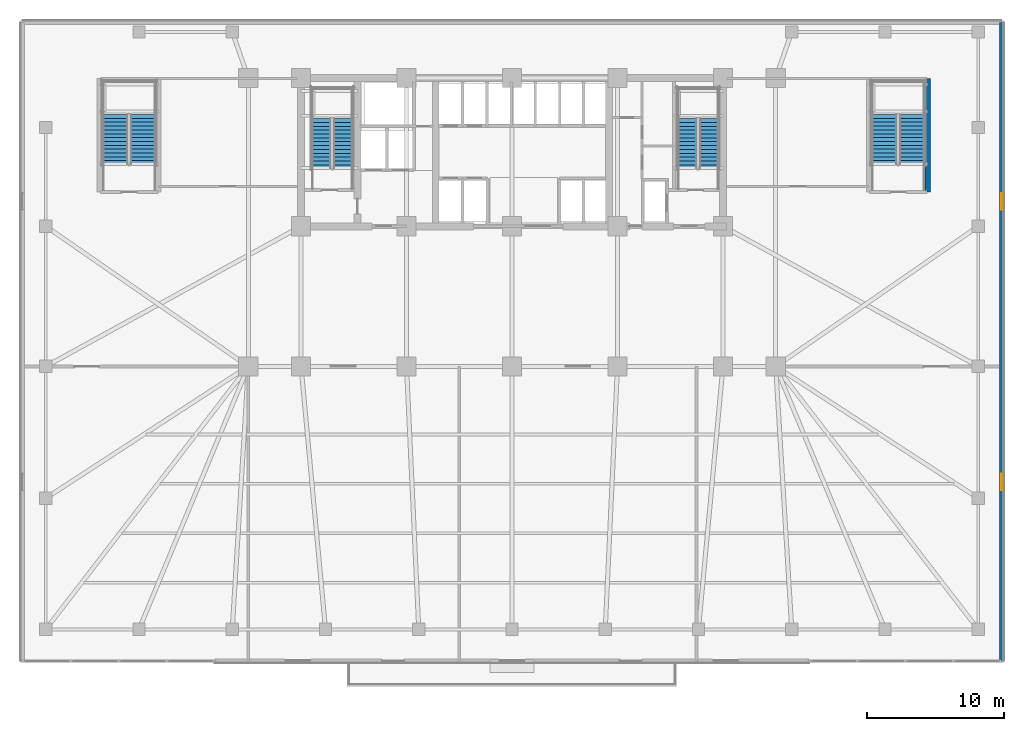
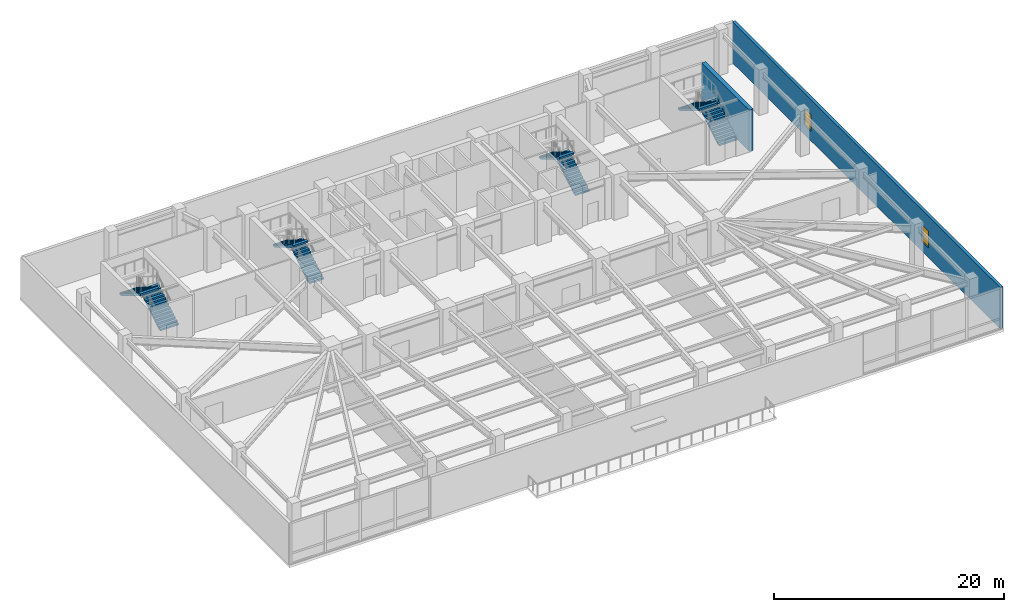
# One storey, part 10 of 15: 8 stair flights, 2 walls, 2 windows, 2 openings, 4 elements without a shape of their own.
"""IFC4 building model written with IfcOpenShell, lengths in metres."""

from ifc_helpers import new_model, si_unit, direction, frame, frame_2d, origin, place, context, subcontext, project, spatial, polyline, rectangle, outline, extrude, material, layer, layer_set, type_object, element, fill, aggregate, save


model = new_model("IFC4")

# Units and contexts
model_context = context("Model", 3, precision=1e-05, world=origin(), true_north=direction((0.0, 1.0)))
body_context = subcontext(model_context, "Body", "Model", "MODEL_VIEW")
ifc_project = project(units=[si_unit("LENGTHUNIT", "METRE"), si_unit("AREAUNIT", "SQUARE_METRE"), si_unit("VOLUMEUNIT", "CUBIC_METRE"), si_unit("PLANEANGLEUNIT", "RADIAN"), si_unit("MASSUNIT", "GRAM", prefix="KILO")], contexts=[model_context])

# Site, building, storey
site_placement = place(None, origin())
site = spatial("IfcSite", under=ifc_project, at=site_placement, CompositionType="ELEMENT")
building_placement = place(site_placement, origin())
building = spatial("IfcBuilding", under=site, at=building_placement, Name="Yelkora Congress Tower", CompositionType="ELEMENT")
storey_placement = place(building_placement, frame((0.0, 0.0, 20.39990234375)))
storey = spatial("IfcBuildingStorey", under=building, at=storey_placement, Name="L04", CompositionType="ELEMENT", Elevation=20.39990234375)

# Wall
ifc_material_1 = material(Name="Concrete C50/60", Category="concrete")
ifc_layer_1 = layer(ifc_material_1, 0.39990234375)
ifc_layer_set_1 = layer_set([ifc_layer_1], Name="Concrete C50/60")
wall_type_1 = type_object("IfcWallType", Name="WALL-CORE-INT-400", PredefinedType="SHEAR", material=ifc_layer_set_1)
wall_1_placement = place(storey_placement, frame((68.659912109375, 37.89990234375, 0.0), z_axis=(0.0, 0.0, 1.0), x_axis=(0.0, 1.0, 0.0)))
element("IfcWall", 1, at=wall_1_placement, inside=storey, type_object=wall_type_1, Name="L04 STP2 East Shear Wall", PredefinedType="SHEAR", context=body_context, shape_type="SweptSolid", body=[
    extrude(rectangle(XDim=8.25, YDim=0.39990234375, at=frame_2d((4.125, 0.0))), origin(), (0.0, 0.0, 1.0), 4.380126953125),
])

# Wall, openings, windows
ifc_material_2 = material(Name="Concrete C40/50", Category="concrete")
ifc_layer_2 = layer(ifc_material_2, 0.280029296875)
ifc_layer_set_2 = layer_set([ifc_layer_2], Name="Concrete C40/50")
wall_type_2 = type_object("IfcWallType", Name="WALL-EXT-LIMESTONE-280", PredefinedType="SOLIDWALL", material=ifc_layer_set_2)
wall_2_placement = place(storey_placement, frame((74.0400390625, 50.239990234375, 0.0), z_axis=(0.0, 0.0, 1.0), x_axis=(0.0, -1.0, 0.0)))
wall_2 = element("IfcWall", 2, at=wall_2_placement, inside=storey, type_object=wall_type_2, Name="L04 Podium Limestone Wall 3", PredefinedType="SOLIDWALL", context=body_context, shape_type="SweptSolid", body=[
    extrude(rectangle(XDim=46.47998046875, YDim=0.280029296875, at=frame_2d((23.239990234375, 0.0))), origin(), (0.0, 0.0, 1.0), 4.380126953125),
])
opening_1_placement = place(wall_2_placement, frame((12.414306640625, 0.0, 1.0)))
opening_1 = element("IfcOpeningElement", 3, at=opening_1_placement, cuts=wall_2, Name="Opening WN-12", PredefinedType="OPENING", context=body_context, shape_type="SweptSolid", body=[
    extrude(rectangle(XDim=1.199951171875, YDim=1.800048828125, at=frame_2d((0.60009765625, 0.89990234375))), frame((0.0, 0.14990234375, 0.0), z_axis=(0.0, -1.0, 0.0), x_axis=(1.0, 0.0, 0.0)), (0.0, 0.0, 1.0), 0.300048828125),
])
opening_2_placement = place(wall_2_placement, frame((32.865478515625, 0.0, 1.0)))
opening_2 = element("IfcOpeningElement", 4, at=opening_2_placement, cuts=wall_2, Name="Opening WN-12", PredefinedType="OPENING", context=body_context, shape_type="SweptSolid", body=[
    extrude(rectangle(XDim=1.199951171875, YDim=1.800048828125, at=frame_2d((0.60009765625, 0.89990234375))), frame((0.0, 0.14990234375, 0.0), z_axis=(0.0, -1.0, 0.0), x_axis=(1.0, 0.0, 0.0)), (0.0, 0.0, 1.0), 0.300048828125),
])
ifc_material_3 = material(Name="Thermally broken aluminium window", Category="aluminium")
window_type = type_object("IfcWindowType", Name="WIN-POD-1200x1800", PartitioningType="SINGLE_PANEL", PredefinedType="WINDOW", material=ifc_material_3)
window_1_placement = place(opening_1_placement, origin())
window_1 = element("IfcWindow", 5, at=window_1_placement, inside=storey, type_object=window_type, Name="L04 Podium Facade Window 3-1", OverallHeight=1.800048828125, OverallWidth=1.199951171875, PartitioningType="SINGLE_PANEL", PredefinedType="WINDOW", context=body_context, shape_type="SweptSolid", body=[
    extrude(rectangle(XDim=1.199951171875, YDim=1.800048828125, at=frame_2d((0.60009765625, 0.89990234375))), frame((0.0, 0.030029296875, 0.0), z_axis=(0.0, -1.0, 0.0), x_axis=(1.0, 0.0, 0.0)), (0.0, 0.0, 1.0), 0.06005859375),
])
fill(opening_1, window_1)
window_2_placement = place(opening_2_placement, origin())
window_2 = element("IfcWindow", 6, at=window_2_placement, inside=storey, type_object=window_type, Name="L04 Podium Facade Window 3-2", OverallHeight=1.800048828125, OverallWidth=1.199951171875, PartitioningType="SINGLE_PANEL", PredefinedType="WINDOW", context=body_context, shape_type="SweptSolid", body=[
    extrude(rectangle(XDim=1.199951171875, YDim=1.800048828125, at=frame_2d((0.60009765625, 0.89990234375))), frame((0.0, 0.030029296875, 0.0), z_axis=(0.0, -1.0, 0.0), x_axis=(1.0, 0.0, 0.0)), (0.0, 0.0, 1.0), 0.06005859375),
])
fill(opening_2, window_2)

# Stair, stair flights
stair_type_1 = type_object("IfcStairType", Name="STAIR-HT-1420-R28-171", PredefinedType="HALF_TURN_STAIR", material=ifc_material_2)
stair_1_placement = place(storey_placement, origin())
stair_1 = element("IfcStair", 7, at=stair_1_placement, inside=storey, type_object=stair_type_1, Name="West Core Protected Exit Stair ST-01 (L04)", PredefinedType="HALF_TURN_STAIR")
stair_flight_type_1 = type_object("IfcStairFlightType", Name="FLIGHT-1420-N14-R171-G280", PredefinedType="STRAIGHT", material=ifc_material_2)
stair_flight_1_placement = place(storey_placement, frame((26.110107421875, 39.60009765625, 0.0), z_axis=(0.0, 0.0, 1.0), x_axis=(0.0, 1.0, 0.0)))
stair_flight_1 = element("IfcStairFlight", 8, at=stair_flight_1_placement, type_object=stair_flight_type_1, Name="ST-01 L04 Flight 1", NumberOfRisers=14, NumberOfTreads=13, PredefinedType="STRAIGHT", RiserHeight=0.171428571, TreadLength=0.28, context=body_context, shape_type="SweptSolid", body=[
    extrude(outline(polyline([(0.0, 0.0), (0.0, 0.17138671875), (0.280029296875, 0.17138671875), (0.280029296875, 0.3427734375), (0.56005859375, 0.3427734375), (0.56005859375, 0.514404296875), (0.840087890625, 0.514404296875), (0.840087890625, 0.685791015625), (1.1201171875, 0.685791015625), (1.1201171875, 0.857177734375), (1.39990234375, 0.857177734375), (1.39990234375, 1.028564453125), (1.679931640625, 1.028564453125), (1.679931640625, 1.199951171875), (1.9599609375, 1.199951171875), (1.9599609375, 1.371337890625), (2.239990234375, 1.371337890625), (2.239990234375, 1.54296875), (2.52001953125, 1.54296875), (2.52001953125, 1.71435546875), (2.800048828125, 1.71435546875), (2.800048828125, 1.8857421875), (3.080078125, 1.8857421875), (3.080078125, 2.05712890625), (3.360107421875, 2.05712890625), (3.360107421875, 2.228515625), (3.639892578125, 2.228515625), (3.639892578125, 2.39990234375), (3.639892578125, 2.041015625), (0.30615234375, 0.0), (0.0, 0.0)])), frame((0.0, 0.7099609375, 0.0), z_axis=(0.0, -1.0, 0.0), x_axis=(1.0, 0.0, 0.0)), (0.0, 0.0, 1.0), 1.419921875),
])
stair_flight_2_placement = place(storey_placement, frame((24.530029296875, 43.239990234375, 2.400146484375), z_axis=(0.0, 0.0, 1.0), x_axis=(0.0, -1.0, 0.0)))
stair_flight_2 = element("IfcStairFlight", 9, at=stair_flight_2_placement, type_object=stair_flight_type_1, Name="ST-01 L04 Flight 2", NumberOfRisers=14, NumberOfTreads=13, PredefinedType="STRAIGHT", RiserHeight=0.171428571, TreadLength=0.28, context=body_context, shape_type="SweptSolid", body=[
    extrude(outline(polyline([(0.0, 0.0), (0.0, 0.17138671875), (0.280029296875, 0.17138671875), (0.280029296875, 0.3427734375), (0.56005859375, 0.3427734375), (0.56005859375, 0.514404296875), (0.840087890625, 0.514404296875), (0.840087890625, 0.685791015625), (1.1201171875, 0.685791015625), (1.1201171875, 0.857177734375), (1.39990234375, 0.857177734375), (1.39990234375, 1.028564453125), (1.679931640625, 1.028564453125), (1.679931640625, 1.199951171875), (1.9599609375, 1.199951171875), (1.9599609375, 1.371337890625), (2.239990234375, 1.371337890625), (2.239990234375, 1.54296875), (2.52001953125, 1.54296875), (2.52001953125, 1.71435546875), (2.800048828125, 1.71435546875), (2.800048828125, 1.8857421875), (3.080078125, 1.8857421875), (3.080078125, 2.05712890625), (3.360107421875, 2.05712890625), (3.360107421875, 2.228515625), (3.639892578125, 2.228515625), (3.639892578125, 2.39990234375), (3.639892578125, 2.041015625), (0.30615234375, 0.0), (0.0, 0.0)])), frame((0.0, 0.7099609375, 0.0), z_axis=(0.0, -1.0, 0.0), x_axis=(1.0, 0.0, 0.0)), (0.0, 0.0, 1.0), 1.419921875),
])
aggregate(stair_1, [stair_flight_1, stair_flight_2])

stair_2_placement = place(storey_placement, origin())
stair_2 = element("IfcStair", 10, at=stair_2_placement, inside=storey, type_object=stair_type_1, Name="East Core Protected Exit Stair ST-02 (L04)", PredefinedType="HALF_TURN_STAIR")
stair_flight_3_placement = place(storey_placement, frame((52.75, 39.60009765625, 0.0), z_axis=(0.0, 0.0, 1.0), x_axis=(0.0, 1.0, 0.0)))
stair_flight_3 = element("IfcStairFlight", 11, at=stair_flight_3_placement, type_object=stair_flight_type_1, Name="ST-02 L04 Flight 1", NumberOfRisers=14, NumberOfTreads=13, PredefinedType="STRAIGHT", RiserHeight=0.171428571, TreadLength=0.28, context=body_context, shape_type="SweptSolid", body=[
    extrude(outline(polyline([(0.0, 0.0), (0.0, 0.17138671875), (0.280029296875, 0.17138671875), (0.280029296875, 0.3427734375), (0.56005859375, 0.3427734375), (0.56005859375, 0.514404296875), (0.840087890625, 0.514404296875), (0.840087890625, 0.685791015625), (1.1201171875, 0.685791015625), (1.1201171875, 0.857177734375), (1.39990234375, 0.857177734375), (1.39990234375, 1.028564453125), (1.679931640625, 1.028564453125), (1.679931640625, 1.199951171875), (1.9599609375, 1.199951171875), (1.9599609375, 1.371337890625), (2.239990234375, 1.371337890625), (2.239990234375, 1.54296875), (2.52001953125, 1.54296875), (2.52001953125, 1.71435546875), (2.800048828125, 1.71435546875), (2.800048828125, 1.8857421875), (3.080078125, 1.8857421875), (3.080078125, 2.05712890625), (3.360107421875, 2.05712890625), (3.360107421875, 2.228515625), (3.639892578125, 2.228515625), (3.639892578125, 2.39990234375), (3.639892578125, 2.041015625), (0.30615234375, 0.0), (0.0, 0.0)])), frame((0.0, 0.7099609375, 0.0), z_axis=(0.0, -1.0, 0.0), x_axis=(1.0, 0.0, 0.0)), (0.0, 0.0, 1.0), 1.419921875),
])
stair_flight_4_placement = place(storey_placement, frame((51.169921875, 43.239990234375, 2.400146484375), z_axis=(0.0, 0.0, 1.0), x_axis=(0.0, -1.0, 0.0)))
stair_flight_4 = element("IfcStairFlight", 12, at=stair_flight_4_placement, type_object=stair_flight_type_1, Name="ST-02 L04 Flight 2", NumberOfRisers=14, NumberOfTreads=13, PredefinedType="STRAIGHT", RiserHeight=0.171428571, TreadLength=0.28, context=body_context, shape_type="SweptSolid", body=[
    extrude(outline(polyline([(0.0, 0.0), (0.0, 0.17138671875), (0.280029296875, 0.17138671875), (0.280029296875, 0.3427734375), (0.56005859375, 0.3427734375), (0.56005859375, 0.514404296875), (0.840087890625, 0.514404296875), (0.840087890625, 0.685791015625), (1.1201171875, 0.685791015625), (1.1201171875, 0.857177734375), (1.39990234375, 0.857177734375), (1.39990234375, 1.028564453125), (1.679931640625, 1.028564453125), (1.679931640625, 1.199951171875), (1.9599609375, 1.199951171875), (1.9599609375, 1.371337890625), (2.239990234375, 1.371337890625), (2.239990234375, 1.54296875), (2.52001953125, 1.54296875), (2.52001953125, 1.71435546875), (2.800048828125, 1.71435546875), (2.800048828125, 1.8857421875), (3.080078125, 1.8857421875), (3.080078125, 2.05712890625), (3.360107421875, 2.05712890625), (3.360107421875, 2.228515625), (3.639892578125, 2.228515625), (3.639892578125, 2.39990234375), (3.639892578125, 2.041015625), (0.30615234375, 0.0), (0.0, 0.0)])), frame((0.0, 0.7099609375, 0.0), z_axis=(0.0, -1.0, 0.0), x_axis=(1.0, 0.0, 0.0)), (0.0, 0.0, 1.0), 1.419921875),
])
aggregate(stair_2, [stair_flight_3, stair_flight_4])

stair_type_2 = type_object("IfcStairType", Name="STAIR-HT-1850-R28-171", PredefinedType="HALF_TURN_STAIR", material=ifc_material_2)
stair_3_placement = place(storey_placement, origin())
stair_3 = element("IfcStair", 13, at=stair_3_placement, inside=storey, type_object=stair_type_2, Name="Podium Exit Stair ST-P1 (L04)", PredefinedType="HALF_TURN_STAIR")
stair_flight_type_2 = type_object("IfcStairFlightType", Name="FLIGHT-1850-N14-R171-G280", PredefinedType="STRAIGHT", material=ifc_material_2)
stair_flight_5_placement = place(storey_placement, frame((11.534912109375, 39.89990234375, 0.0), z_axis=(0.0, 0.0, 1.0), x_axis=(0.0, 1.0, 0.0)))
stair_flight_5 = element("IfcStairFlight", 14, at=stair_flight_5_placement, type_object=stair_flight_type_2, Name="ST-P1 L04 Flight 1", NumberOfRisers=14, NumberOfTreads=13, PredefinedType="STRAIGHT", RiserHeight=0.171428571, TreadLength=0.28, context=body_context, shape_type="SweptSolid", body=[
    extrude(outline(polyline([(0.0, 0.0), (0.0, 0.17138671875), (0.280029296875, 0.17138671875), (0.280029296875, 0.3427734375), (0.56005859375, 0.3427734375), (0.56005859375, 0.514404296875), (0.840087890625, 0.514404296875), (0.840087890625, 0.685791015625), (1.1201171875, 0.685791015625), (1.1201171875, 0.857177734375), (1.39990234375, 0.857177734375), (1.39990234375, 1.028564453125), (1.679931640625, 1.028564453125), (1.679931640625, 1.199951171875), (1.9599609375, 1.199951171875), (1.9599609375, 1.371337890625), (2.239990234375, 1.371337890625), (2.239990234375, 1.54296875), (2.52001953125, 1.54296875), (2.52001953125, 1.71435546875), (2.800048828125, 1.71435546875), (2.800048828125, 1.8857421875), (3.080078125, 1.8857421875), (3.080078125, 2.05712890625), (3.360107421875, 2.05712890625), (3.360107421875, 2.228515625), (3.639892578125, 2.228515625), (3.639892578125, 2.39990234375), (3.639892578125, 2.041015625), (0.30615234375, 0.0), (0.0, 0.0)])), frame((0.0, 0.925048828125, 0.0), z_axis=(0.0, -1.0, 0.0), x_axis=(1.0, 0.0, 0.0)), (0.0, 0.0, 1.0), 1.85009765625),
])
stair_flight_6_placement = place(storey_placement, frame((9.52490234375, 43.5400390625, 2.400146484375), z_axis=(0.0, 0.0, 1.0), x_axis=(0.0, -1.0, 0.0)))
stair_flight_6 = element("IfcStairFlight", 15, at=stair_flight_6_placement, type_object=stair_flight_type_2, Name="ST-P1 L04 Flight 2", NumberOfRisers=14, NumberOfTreads=13, PredefinedType="STRAIGHT", RiserHeight=0.171428571, TreadLength=0.28, context=body_context, shape_type="SweptSolid", body=[
    extrude(outline(polyline([(0.0, 0.0), (0.0, 0.17138671875), (0.280029296875, 0.17138671875), (0.280029296875, 0.3427734375), (0.56005859375, 0.3427734375), (0.56005859375, 0.514404296875), (0.840087890625, 0.514404296875), (0.840087890625, 0.685791015625), (1.1201171875, 0.685791015625), (1.1201171875, 0.857177734375), (1.39990234375, 0.857177734375), (1.39990234375, 1.028564453125), (1.679931640625, 1.028564453125), (1.679931640625, 1.199951171875), (1.9599609375, 1.199951171875), (1.9599609375, 1.371337890625), (2.239990234375, 1.371337890625), (2.239990234375, 1.54296875), (2.52001953125, 1.54296875), (2.52001953125, 1.71435546875), (2.800048828125, 1.71435546875), (2.800048828125, 1.8857421875), (3.080078125, 1.8857421875), (3.080078125, 2.05712890625), (3.360107421875, 2.05712890625), (3.360107421875, 2.228515625), (3.639892578125, 2.228515625), (3.639892578125, 2.39990234375), (3.639892578125, 2.041015625), (0.30615234375, 0.0), (0.0, 0.0)])), frame((0.0, 0.925048828125, 0.0), z_axis=(0.0, -1.0, 0.0), x_axis=(1.0, 0.0, 0.0)), (0.0, 0.0, 1.0), 1.85009765625),
])
aggregate(stair_3, [stair_flight_5, stair_flight_6])

stair_4_placement = place(storey_placement, origin())
stair_4 = element("IfcStair", 16, at=stair_4_placement, inside=storey, type_object=stair_type_2, Name="Podium Exit Stair ST-P2 (L04)", PredefinedType="HALF_TURN_STAIR")
stair_flight_7_placement = place(storey_placement, frame((67.534912109375, 39.89990234375, 0.0), z_axis=(0.0, 0.0, 1.0), x_axis=(0.0, 1.0, 0.0)))
stair_flight_7 = element("IfcStairFlight", 17, at=stair_flight_7_placement, type_object=stair_flight_type_2, Name="ST-P2 L04 Flight 1", NumberOfRisers=14, NumberOfTreads=13, PredefinedType="STRAIGHT", RiserHeight=0.171428571, TreadLength=0.28, context=body_context, shape_type="SweptSolid", body=[
    extrude(outline(polyline([(0.0, 0.0), (0.0, 0.17138671875), (0.280029296875, 0.17138671875), (0.280029296875, 0.3427734375), (0.56005859375, 0.3427734375), (0.56005859375, 0.514404296875), (0.840087890625, 0.514404296875), (0.840087890625, 0.685791015625), (1.1201171875, 0.685791015625), (1.1201171875, 0.857177734375), (1.39990234375, 0.857177734375), (1.39990234375, 1.028564453125), (1.679931640625, 1.028564453125), (1.679931640625, 1.199951171875), (1.9599609375, 1.199951171875), (1.9599609375, 1.371337890625), (2.239990234375, 1.371337890625), (2.239990234375, 1.54296875), (2.52001953125, 1.54296875), (2.52001953125, 1.71435546875), (2.800048828125, 1.71435546875), (2.800048828125, 1.8857421875), (3.080078125, 1.8857421875), (3.080078125, 2.05712890625), (3.360107421875, 2.05712890625), (3.360107421875, 2.228515625), (3.639892578125, 2.228515625), (3.639892578125, 2.39990234375), (3.639892578125, 2.041015625), (0.30615234375, 0.0), (0.0, 0.0)])), frame((0.0, 0.925048828125, 0.0), z_axis=(0.0, -1.0, 0.0), x_axis=(1.0, 0.0, 0.0)), (0.0, 0.0, 1.0), 1.85009765625),
])
stair_flight_8_placement = place(storey_placement, frame((65.52490234375, 43.5400390625, 2.400146484375), z_axis=(0.0, 0.0, 1.0), x_axis=(0.0, -1.0, 0.0)))
stair_flight_8 = element("IfcStairFlight", 18, at=stair_flight_8_placement, type_object=stair_flight_type_2, Name="ST-P2 L04 Flight 2", NumberOfRisers=14, NumberOfTreads=13, PredefinedType="STRAIGHT", RiserHeight=0.171428571, TreadLength=0.28, context=body_context, shape_type="SweptSolid", body=[
    extrude(outline(polyline([(0.0, 0.0), (0.0, 0.17138671875), (0.280029296875, 0.17138671875), (0.280029296875, 0.3427734375), (0.56005859375, 0.3427734375), (0.56005859375, 0.514404296875), (0.840087890625, 0.514404296875), (0.840087890625, 0.685791015625), (1.1201171875, 0.685791015625), (1.1201171875, 0.857177734375), (1.39990234375, 0.857177734375), (1.39990234375, 1.028564453125), (1.679931640625, 1.028564453125), (1.679931640625, 1.199951171875), (1.9599609375, 1.199951171875), (1.9599609375, 1.371337890625), (2.239990234375, 1.371337890625), (2.239990234375, 1.54296875), (2.52001953125, 1.54296875), (2.52001953125, 1.71435546875), (2.800048828125, 1.71435546875), (2.800048828125, 1.8857421875), (3.080078125, 1.8857421875), (3.080078125, 2.05712890625), (3.360107421875, 2.05712890625), (3.360107421875, 2.228515625), (3.639892578125, 2.228515625), (3.639892578125, 2.39990234375), (3.639892578125, 2.041015625), (0.30615234375, 0.0), (0.0, 0.0)])), frame((0.0, 0.925048828125, 0.0), z_axis=(0.0, -1.0, 0.0), x_axis=(1.0, 0.0, 0.0)), (0.0, 0.0, 1.0), 1.85009765625),
])
aggregate(stair_4, [stair_flight_7, stair_flight_8])

save(model, "model.ifc")
